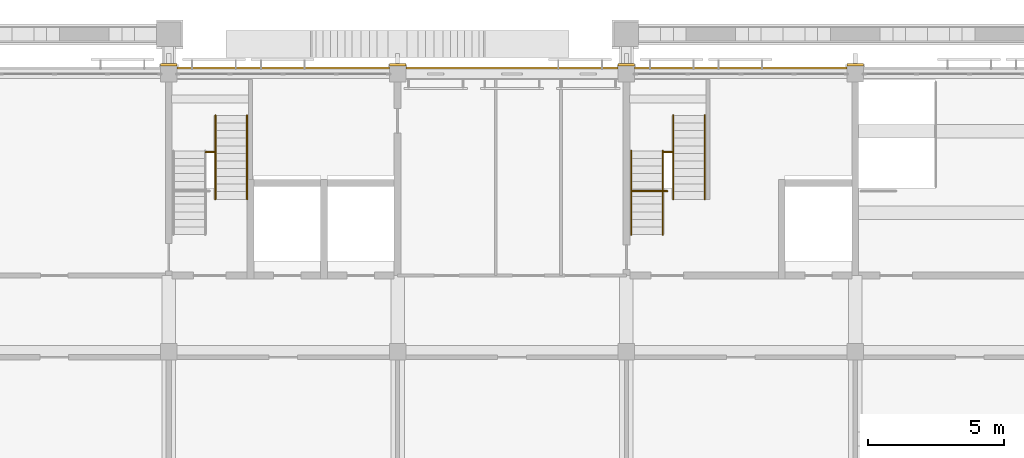
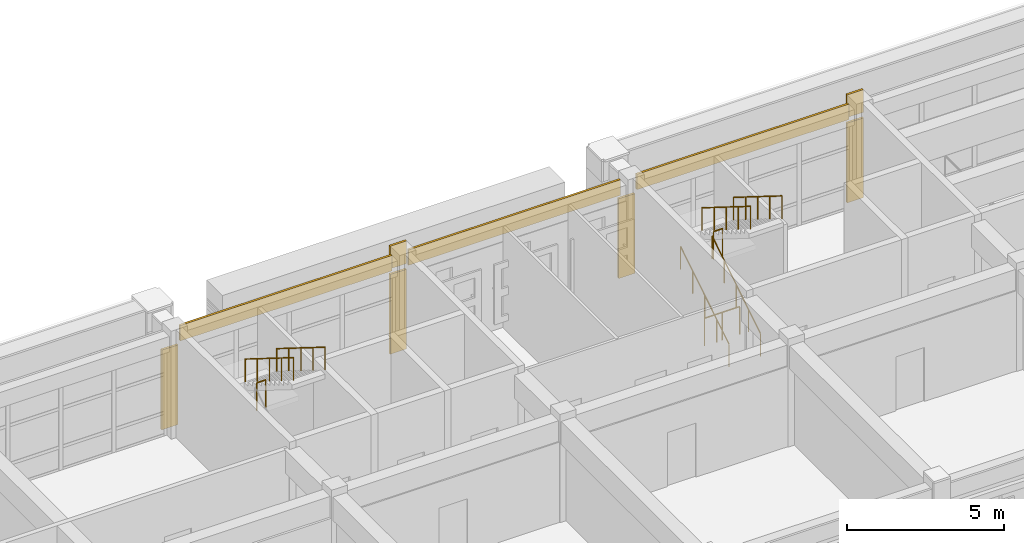
# One storey, part 63 of 68: 9 coverings, 9 railings.
"""IFC4 building model written with IfcOpenShell, lengths in metres."""

from ifc_helpers import new_model, si_unit, direction, frame, origin, origin_2d, place, context, subcontext, project, spatial, polyline, circle, outline, extrude, material, layer, layer_set, type_object, element, save


model = new_model("IFC4")

# Units and contexts
model_context = context("Model", 3, precision=1e-05, world=origin(), true_north=direction((0.0, 1.0)))
body_context = subcontext(model_context, "Body", "Model", "MODEL_VIEW")
ifc_project = project(units=[si_unit("LENGTHUNIT", "METRE"), si_unit("AREAUNIT", "SQUARE_METRE"), si_unit("VOLUMEUNIT", "CUBIC_METRE"), si_unit("PLANEANGLEUNIT", "RADIAN"), si_unit("MASSUNIT", "GRAM", prefix="KILO")], contexts=[model_context])

# Site, building, storey
site_placement = place(None, origin())
site = spatial("IfcSite", under=ifc_project, at=site_placement, CompositionType="ELEMENT")
building_placement = place(site_placement, origin())
building = spatial("IfcBuilding", under=site, at=building_placement, Name="Wasatch Bagh Community Centre", CompositionType="ELEMENT")
storey_placement = place(building_placement, frame((0.0, 0.0, 8.39990234375)))
storey = spatial("IfcBuildingStorey", under=building, at=storey_placement, Name="L02", CompositionType="ELEMENT", Elevation=8.39990234375)

# Coverings
ifc_material_1 = material(Name="Cast stone cladding", Category="masonry")
ifc_layer_1 = layer(ifc_material_1, 0.080078125)
ifc_layer_set_1 = layer_set([ifc_layer_1], Name="Cast stone cladding")
covering_type_1 = type_object("IfcCoveringType", Name="CL-B7 beam facing", PredefinedType="CLADDING", material=ifc_layer_set_1)
covering_1_placement = place(storey_placement, frame((0.0, 0.0, 3.320068359375)))
element("IfcCovering", 1, at=covering_1_placement, inside=storey, type_object=covering_type_1, Name="Beam facing", PredefinedType="CLADDING", context=body_context, shape_type="SweptSolid", body=[
    extrude(outline(polyline([(106.300048828125, 97.97509765625), (114.10009765625, 97.97509765625), (114.10009765625, 98.054931640625), (106.300048828125, 98.054931640625), (106.300048828125, 97.97509765625)])), origin(), (0.0, 0.0, 1.0), 0.60009765625),
])
covering_2_placement = place(storey_placement, frame((0.0, 0.0, 3.320068359375)))
element("IfcCovering", 2, at=covering_2_placement, inside=storey, type_object=covering_type_1, Name="Beam facing", PredefinedType="CLADDING", context=body_context, shape_type="SweptSolid", body=[
    extrude(outline(polyline([(114.699951171875, 97.97509765625), (122.5, 97.97509765625), (122.5, 98.054931640625), (114.699951171875, 98.054931640625), (114.699951171875, 97.97509765625)])), origin(), (0.0, 0.0, 1.0), 0.60009765625),
])
covering_3_placement = place(storey_placement, frame((0.0, 0.0, 3.320068359375)))
element("IfcCovering", 3, at=covering_3_placement, inside=storey, type_object=covering_type_1, Name="Beam facing", PredefinedType="CLADDING", context=body_context, shape_type="SweptSolid", body=[
    extrude(outline(polyline([(123.10009765625, 97.97509765625), (130.89990234375, 97.97509765625), (130.89990234375, 98.054931640625), (123.10009765625, 98.054931640625), (123.10009765625, 97.97509765625)])), origin(), (0.0, 0.0, 1.0), 0.60009765625),
])
ifc_layer_2 = layer(ifc_material_1, 0.080078125)
ifc_layer_set_2 = layer_set([ifc_layer_2], Name="Cast stone cladding")
covering_type_2 = type_object("IfcCoveringType", Name="CL-C1 column facing", PredefinedType="CLADDING", material=ifc_layer_set_2)
covering_4_placement = place(storey_placement, origin())
element("IfcCovering", 4, at=covering_4_placement, inside=storey, type_object=covering_type_2, Name="Column facing", PredefinedType="CLADDING", context=body_context, shape_type="SweptSolid", body=[
    extrude(outline(polyline([(106.300048828125, 98.10009765625), (105.699951171875, 98.10009765625), (105.699951171875, 98.179931640625), (106.300048828125, 98.179931640625), (106.300048828125, 98.10009765625)])), origin(), (0.0, 0.0, 1.0), 3.10009765625),
])
covering_5_placement = place(storey_placement, origin())
element("IfcCovering", 5, at=covering_5_placement, inside=storey, type_object=covering_type_2, Name="Column facing", PredefinedType="CLADDING", context=body_context, shape_type="SweptSolid", body=[
    extrude(outline(polyline([(114.699951171875, 98.10009765625), (114.10009765625, 98.10009765625), (114.10009765625, 98.179931640625), (114.699951171875, 98.179931640625), (114.699951171875, 98.10009765625)])), origin(), (0.0, 0.0, 1.0), 3.10009765625),
])
covering_6_placement = place(storey_placement, frame((0.0, 0.0, 3.320068359375)))
element("IfcCovering", 6, at=covering_6_placement, inside=storey, type_object=covering_type_2, Name="Column facing", PredefinedType="CLADDING", context=body_context, shape_type="SweptSolid", body=[
    extrude(outline(polyline([(114.699951171875, 98.10009765625), (114.10009765625, 98.10009765625), (114.10009765625, 98.179931640625), (114.699951171875, 98.179931640625), (114.699951171875, 98.10009765625)])), origin(), (0.0, 0.0, 1.0), 0.880126953125),
])
covering_7_placement = place(storey_placement, origin())
element("IfcCovering", 7, at=covering_7_placement, inside=storey, type_object=covering_type_2, Name="Column facing", PredefinedType="CLADDING", context=body_context, shape_type="SweptSolid", body=[
    extrude(outline(polyline([(123.10009765625, 98.10009765625), (122.5, 98.10009765625), (122.5, 98.179931640625), (123.10009765625, 98.179931640625), (123.10009765625, 98.10009765625)])), origin(), (0.0, 0.0, 1.0), 3.10009765625),
])
covering_8_placement = place(storey_placement, origin())
element("IfcCovering", 8, at=covering_8_placement, inside=storey, type_object=covering_type_2, Name="Column facing", PredefinedType="CLADDING", context=body_context, shape_type="SweptSolid", body=[
    extrude(outline(polyline([(131.5, 98.10009765625), (130.89990234375, 98.10009765625), (130.89990234375, 98.179931640625), (131.5, 98.179931640625), (131.5, 98.10009765625)])), origin(), (0.0, 0.0, 1.0), 3.10009765625),
])
covering_9_placement = place(storey_placement, frame((0.0, 0.0, 3.320068359375)))
element("IfcCovering", 9, at=covering_9_placement, inside=storey, type_object=covering_type_2, Name="Column facing", PredefinedType="CLADDING", context=body_context, shape_type="SweptSolid", body=[
    extrude(outline(polyline([(131.5, 98.10009765625), (130.89990234375, 98.10009765625), (130.89990234375, 98.179931640625), (131.5, 98.179931640625), (131.5, 98.10009765625)])), origin(), (0.0, 0.0, 1.0), 0.880126953125),
])

# Railings
ifc_material_2 = material(Name="Painted steel with jali infill", Category="steel")
railing_type_1 = type_object("IfcRailingType", Name="LW guard 1100", PredefinedType="GUARDRAIL", material=ifc_material_2)
railing_1_placement = place(storey_placement, frame((107.360107421875, 94.929931640625, 2.10009765625)))
element("IfcRailing", 10, at=railing_1_placement, inside=storey, type_object=railing_type_1, Name="Guard C2", PredefinedType="GUARDRAIL", context=body_context, shape_type="SweptSolid", body=[
    extrude(circle(Radius=0.02490234375, at=origin_2d()), frame((0.0, 0.0, 1.0751953125), z_axis=(1.0, 0.0, 0.0), x_axis=(0.0, 1.0, 0.0)), (0.0, 0.0, 1.0), 0.329833984375),
    extrude(circle(Radius=0.02001953125, at=origin_2d()), origin(), (0.0, 0.0, 1.0), 1.050048828125),
    extrude(circle(Radius=0.02001953125, at=origin_2d()), frame((0.329833984375, 0.0, 0.0)), (0.0, 0.0, 1.0), 1.050048828125),
])
railing_2_placement = place(storey_placement, frame((123.0, 93.5, 0.0)))
element("IfcRailing", 11, at=railing_2_placement, inside=storey, type_object=railing_type_1, Name="Guard C3", PredefinedType="GUARDRAIL", context=body_context, shape_type="SweptSolid", body=[
    extrude(circle(Radius=0.02490234375, at=origin_2d()), frame((0.0, 0.0, 1.0751953125), z_axis=(1.0, 0.0, 0.0), x_axis=(0.0, 1.0, 0.0)), (0.0, 0.0, 1.0), 1.300048828125),
    extrude(circle(Radius=0.02001953125, at=origin_2d()), origin(), (0.0, 0.0, 1.0), 1.050048828125),
    extrude(circle(Radius=0.02001953125, at=origin_2d()), frame((0.64990234375, 0.0, 0.0)), (0.0, 0.0, 1.0), 1.050048828125),
    extrude(circle(Radius=0.02001953125, at=origin_2d()), frame((1.300048828125, 0.0, 0.0)), (0.0, 0.0, 1.0), 1.050048828125),
])
railing_3_placement = place(storey_placement, frame((124.159912109375, 94.929931640625, 2.10009765625)))
element("IfcRailing", 12, at=railing_3_placement, inside=storey, type_object=railing_type_1, Name="Guard C3", PredefinedType="GUARDRAIL", context=body_context, shape_type="SweptSolid", body=[
    extrude(circle(Radius=0.02490234375, at=origin_2d()), frame((0.0, 0.0, 1.0751953125), z_axis=(1.0, 0.0, 0.0), x_axis=(0.0, 1.0, 0.0)), (0.0, 0.0, 1.0), 0.330078125),
    extrude(circle(Radius=0.02001953125, at=origin_2d()), origin(), (0.0, 0.0, 1.0), 1.050048828125),
    extrude(circle(Radius=0.02001953125, at=origin_2d()), frame((0.330078125, 0.0, 0.0)), (0.0, 0.0, 1.0), 1.050048828125),
])
ifc_material_3 = material(Name="Painted steel tube", Category="steel")
railing_type_2 = type_object("IfcRailingType", Name="LW stair handrail 900", PredefinedType="HANDRAIL", material=ifc_material_3)
for number, where, name in (
    (13, (107.715087890625, 96.280029296875, 2.275146484375), "Handrail C2"),
    (14, (108.875, 96.280029296875, 2.275146484375), "Handrail C2"),
):
    element("IfcRailing", number, at=place(storey_placement, frame(where)), inside=storey, type_object=railing_type_2, Name=name, PredefinedType="HANDRAIL", context=body_context, shape_type="SweptSolid", body=[
        extrude(circle(Radius=0.0224609375, at=origin_2d()), frame((0.0, 0.0, 0.87744140625), z_axis=(0.0, -0.847998304005, 0.529998940003), x_axis=(1.0, 0.0, 0.0)), (0.0, 0.0, 1.0), 3.632080078125),
        extrude(circle(Radius=0.02001953125, at=origin_2d()), origin(), (0.0, 0.0, 1.0), 0.85498046875),
        extrude(circle(Radius=0.02001953125, at=origin_2d()), frame((0.0, -0.77001953125, 0.481201171875)), (0.0, 0.0, 1.0), 0.85498046875),
        extrude(circle(Radius=0.02001953125, at=origin_2d()), frame((0.0, -1.5400390625, 0.96240234375)), (0.0, 0.0, 1.0), 0.85498046875),
        extrude(circle(Radius=0.02001953125, at=origin_2d()), frame((0.0, -2.31005859375, 1.44384765625)), (0.0, 0.0, 1.0), 0.85498046875),
        extrude(circle(Radius=0.02001953125, at=origin_2d()), frame((0.0, -3.080078125, 1.925048828125)), (0.0, 0.0, 1.0), 0.85498046875),
    ])
for number, where, name in (
    (15, (122.97509765625, 91.89990234375, 0.175048828125), "Handrail C3"),
    (16, (124.135009765625, 91.89990234375, 0.175048828125), "Handrail C3"),
):
    element("IfcRailing", number, at=place(storey_placement, frame(where)), inside=storey, type_object=railing_type_2, Name=name, PredefinedType="HANDRAIL", context=body_context, shape_type="SweptSolid", body=[
        extrude(circle(Radius=0.0224609375, at=origin_2d()), frame((0.0, 0.0, 0.87744140625), z_axis=(0.0, 0.847998304005, 0.529998940003), x_axis=(-1.0, 0.0, 0.0)), (0.0, 0.0, 1.0), 3.632080078125),
        extrude(circle(Radius=0.02001953125, at=origin_2d()), origin(), (0.0, 0.0, 1.0), 0.85498046875),
        extrude(circle(Radius=0.02001953125, at=origin_2d()), frame((0.0, 0.77001953125, 0.481201171875)), (0.0, 0.0, 1.0), 0.85498046875),
        extrude(circle(Radius=0.02001953125, at=origin_2d()), frame((0.0, 1.5400390625, 0.96240234375)), (0.0, 0.0, 1.0), 0.85498046875),
        extrude(circle(Radius=0.02001953125, at=origin_2d()), frame((0.0, 2.31005859375, 1.44384765625)), (0.0, 0.0, 1.0), 0.85498046875),
        extrude(circle(Radius=0.02001953125, at=origin_2d()), frame((0.0, 3.080078125, 1.925048828125)), (0.0, 0.0, 1.0), 0.85498046875),
    ])
for number, where, name in (
    (17, (124.514892578125, 96.280029296875, 2.275146484375), "Handrail C3"),
    (18, (125.675048828125, 96.280029296875, 2.275146484375), "Handrail C3"),
):
    element("IfcRailing", number, at=place(storey_placement, frame(where)), inside=storey, type_object=railing_type_2, Name=name, PredefinedType="HANDRAIL", context=body_context, shape_type="SweptSolid", body=[
        extrude(circle(Radius=0.0224609375, at=origin_2d()), frame((0.0, 0.0, 0.87744140625), z_axis=(0.0, -0.847998304005, 0.529998940003), x_axis=(1.0, 0.0, 0.0)), (0.0, 0.0, 1.0), 3.632080078125),
        extrude(circle(Radius=0.02001953125, at=origin_2d()), origin(), (0.0, 0.0, 1.0), 0.85498046875),
        extrude(circle(Radius=0.02001953125, at=origin_2d()), frame((0.0, -0.77001953125, 0.481201171875)), (0.0, 0.0, 1.0), 0.85498046875),
        extrude(circle(Radius=0.02001953125, at=origin_2d()), frame((0.0, -1.5400390625, 0.96240234375)), (0.0, 0.0, 1.0), 0.85498046875),
        extrude(circle(Radius=0.02001953125, at=origin_2d()), frame((0.0, -2.31005859375, 1.44384765625)), (0.0, 0.0, 1.0), 0.85498046875),
        extrude(circle(Radius=0.02001953125, at=origin_2d()), frame((0.0, -3.080078125, 1.925048828125)), (0.0, 0.0, 1.0), 0.85498046875),
    ])

save(model, "model.ifc")
